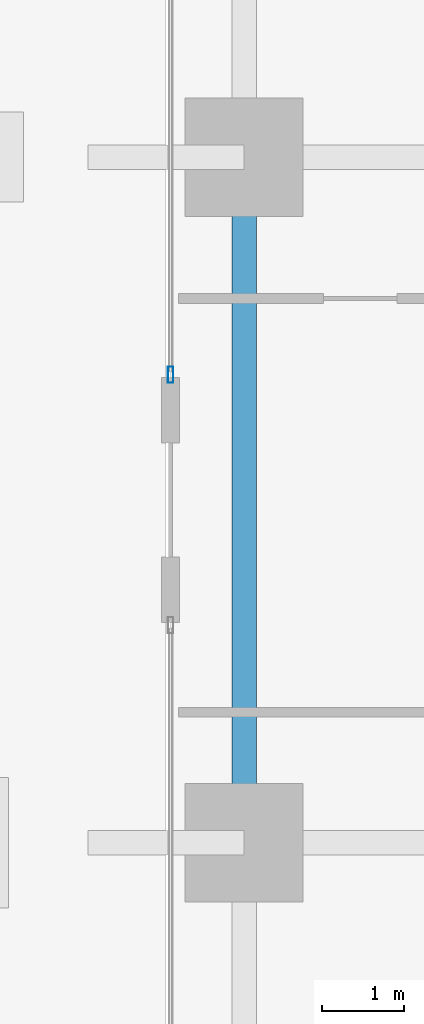
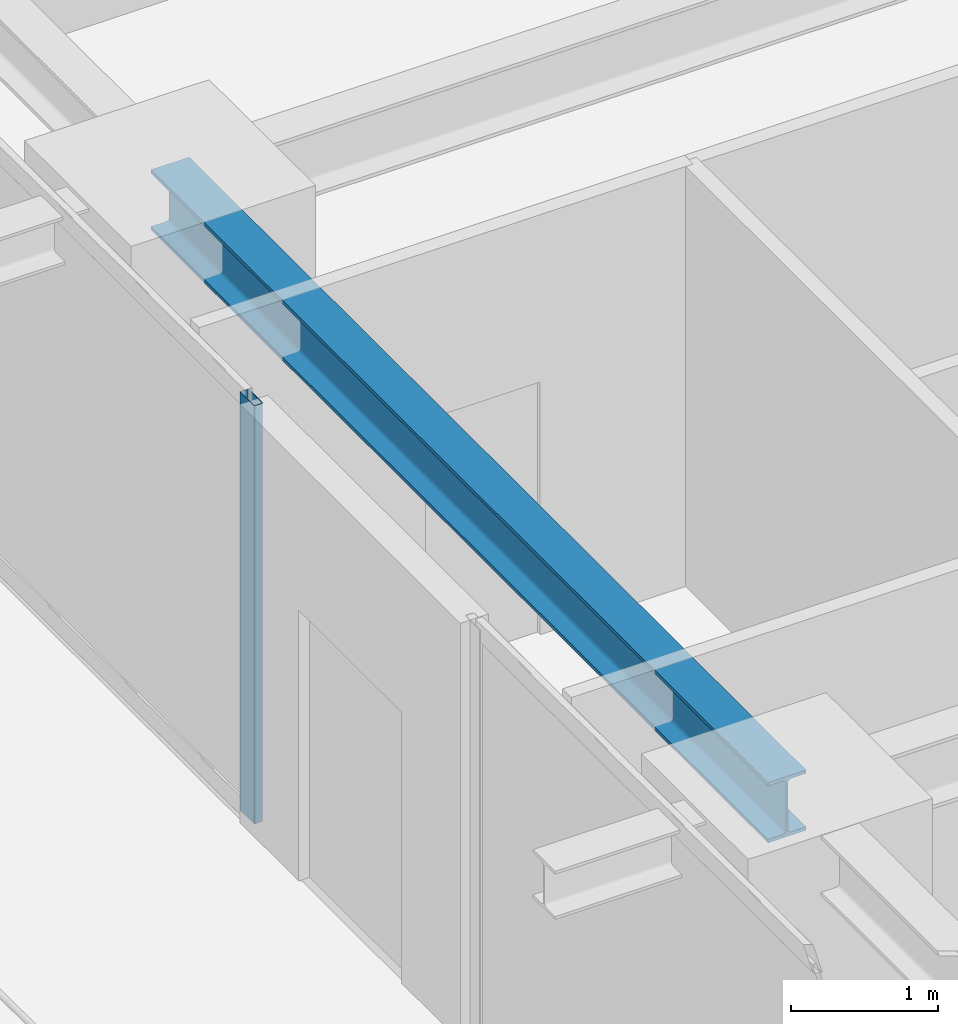
# One storey, part 9 of 40: 1 beam, 1 member, 1 element without a shape of its own.
"""IFC4 building model written with IfcOpenShell, lengths in metres."""

from ifc_helpers import new_model, si_unit, direction, frame, origin, origin_2d, place, context, subcontext, project, spatial, hollow_rectangle, i_section, extrude, source, transform, mapped, material, layer, layer_set, material_profile, profile_set, type_object, element, aggregate, save


model = new_model("IFC4")

# Units and contexts
model_context = context("Model", 3, precision=1e-05, world=origin(), true_north=direction((0.0, 1.0)))
body_context = subcontext(model_context, "Body", "Model", "MODEL_VIEW")
ifc_project = project(units=[si_unit("LENGTHUNIT", "METRE"), si_unit("AREAUNIT", "SQUARE_METRE"), si_unit("VOLUMEUNIT", "CUBIC_METRE"), si_unit("PLANEANGLEUNIT", "RADIAN"), si_unit("MASSUNIT", "GRAM", prefix="KILO")], contexts=[model_context])

# Site, building, storey
site_placement = place(None, origin())
site = spatial("IfcSite", under=ifc_project, at=site_placement, CompositionType="ELEMENT")
building_placement = place(site_placement, origin())
building = spatial("IfcBuilding", under=site, at=building_placement, Name="Serunith Strait Residences", CompositionType="ELEMENT")
storey_placement = place(building_placement, frame((0.0, 0.0, 90.449951171875)))
storey = spatial("IfcBuildingStorey", under=building, at=storey_placement, Name="L22", CompositionType="ELEMENT", Elevation=90.449951171875)

# Beam
ifc_material_1 = material(Name="Steel S355J2", Category="steel")
ifc_material_profile_1 = material_profile(ifc_material_1, i_section(OverallWidth=0.300048828125, OverallDepth=0.5, WebThickness=0.014404296875, FlangeThickness=0.028076171875, FilletRadius=0.027099609375, at=origin_2d()), Name="HEB 500")
ifc_profile_set_1 = profile_set([ifc_material_profile_1], Name="Steel S355J2")
beam_type = type_object("IfcBeamType", Name="BM-HEB500", PredefinedType="BEAM", material=ifc_profile_set_1)
shared_shape_1 = source(origin(), body_context, "Body", "SweptSolid", [
    extrude(i_section(OverallWidth=0.300048828125, OverallDepth=0.5, WebThickness=0.014404296875, FlangeThickness=0.028076171875, FilletRadius=0.027099609375, at=origin_2d()), origin(), (0.0, 0.0, 1.0), 8.39990234375),
])
beam_placement = place(storey_placement, frame((6.89990234375, 29.39990234375, 3.237060546875), z_axis=(0.0, -1.0, 0.0), x_axis=(1.0, 0.0, 0.0)))
element("IfcBeam", 1, at=beam_placement, inside=storey, type_object=beam_type, Name="L22 Perimeter Ring Beam 14", PredefinedType="BEAM", context=body_context, shape_type="MappedRepresentation", body=[
    mapped(shared_shape_1, transform((0.0, 0.0, 0.0), scale=1.0)),
])

# Curtain wall, member
ifc_material_2 = material(Name="Pale-Champagne Anodised Aluminium", Category="aluminium")
ifc_layer = layer(ifc_material_2, 0.199951171875, Name="Pale-Champagne Anodised Aluminium")
ifc_layer_set = layer_set([ifc_layer], Name="Pale-Champagne Anodised Aluminium")
curtain_wall_type = type_object("IfcCurtainWallType", Name="CW-SYS1", PredefinedType="NOTDEFINED", material=ifc_layer_set)
curtain_wall_placement = place(storey_placement, origin())
curtain_wall = element("IfcCurtainWall", 2, at=curtain_wall_placement, inside=storey, type_object=curtain_wall_type, Name="L22 W Unitised Fritted Curtain Wall", PredefinedType="NOTDEFINED")
ifc_material_profile_2 = material_profile(ifc_material_2, hollow_rectangle(XDim=0.070068359375, YDim=0.199951171875, WallThickness=0.00390625, InnerFilletRadius=0.006103515625, OuterFilletRadius=0.010009765625, at=origin_2d()), Name="ALU 200x70x4")
ifc_profile_set_2 = profile_set([ifc_material_profile_2], Name="Pale-Champagne Anodised Aluminium")
member_type = type_object("IfcMemberType", Name="CW-SYS1-MULL", PredefinedType="MULLION", material=ifc_profile_set_2)
shared_shape_2 = source(origin(), body_context, "Body", "SweptSolid", [
    extrude(hollow_rectangle(XDim=0.070068359375, YDim=0.199951171875, WallThickness=0.00390625, InnerFilletRadius=0.006103515625, OuterFilletRadius=0.010009765625, at=origin_2d()), origin(), (0.0, 0.0, 1.0), 3.47509765625),
])
member_placement = place(storey_placement, frame((6.0, 26.735107421875, 0.0), z_axis=(0.0, 0.0, 1.0), x_axis=(1.0, 0.0, 0.0)))
member = element("IfcMember", 3, at=member_placement, type_object=member_type, Name="CW-1 mullion 3", PredefinedType="MULLION", context=body_context, shape_type="MappedRepresentation", body=[
    mapped(shared_shape_2, transform((0.0, 0.0, 0.0), scale=1.0)),
])
aggregate(curtain_wall, [member])

save(model, "model.ifc")
